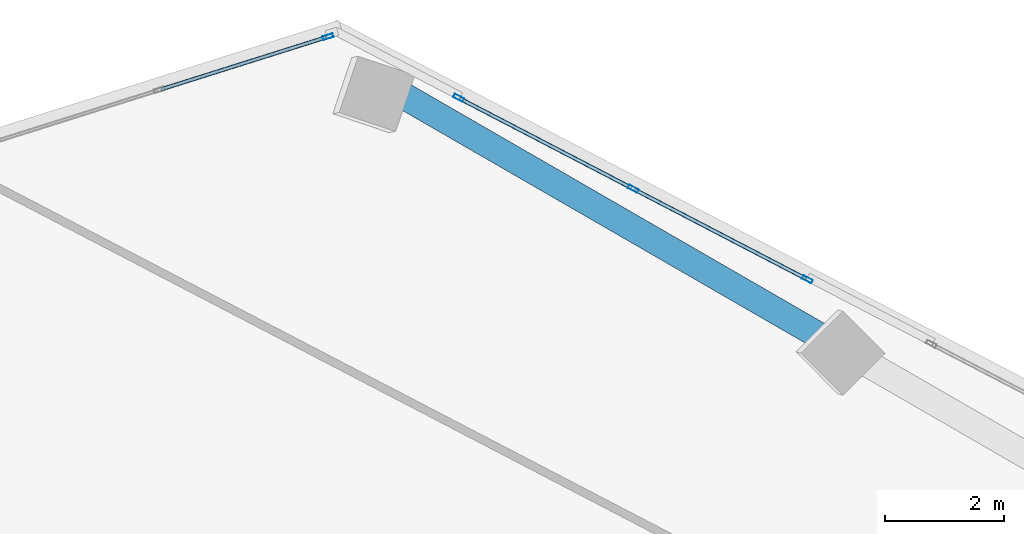
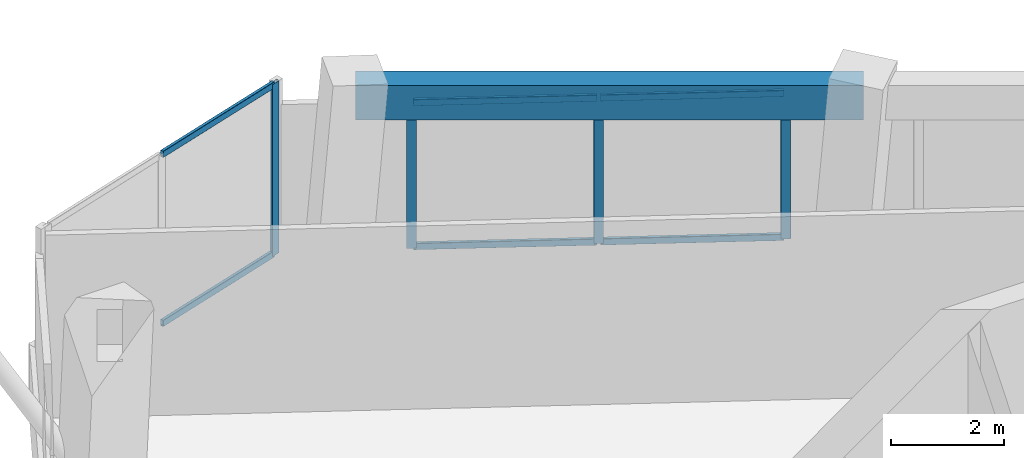
# One storey, part 13 of 22: 10 members, 1 beam, 2 elements without a shape of their own.
"""IFC4 building model written with IfcOpenShell, lengths in metres."""

from ifc_helpers import new_model, si_unit, direction, frame, origin, origin_2d, place, context, subcontext, project, spatial, rectangle, hollow_rectangle, extrude, source, transform, mapped, material, material_profile, profile_set, type_object, element, aggregate, save


model = new_model("IFC4")

# Units and contexts
model_context = context("Model", 3, precision=1e-05, world=origin(), true_north=direction((0.0, 1.0)))
body_context = subcontext(model_context, "Body", "Model", "MODEL_VIEW")
ifc_project = project(units=[si_unit("LENGTHUNIT", "METRE"), si_unit("AREAUNIT", "SQUARE_METRE"), si_unit("VOLUMEUNIT", "CUBIC_METRE"), si_unit("PLANEANGLEUNIT", "RADIAN"), si_unit("MASSUNIT", "GRAM", prefix="KILO")], contexts=[model_context])

# Site, building, storey
site_placement = place(None, origin())
site = spatial("IfcSite", under=ifc_project, at=site_placement, CompositionType="ELEMENT")
building_placement = place(site_placement, origin())
building = spatial("IfcBuilding", under=site, at=building_placement, Name="Torre Montelarca", CompositionType="ELEMENT")
storey_placement = place(building_placement, frame((0.0, 0.0, 175.0)))
storey = spatial("IfcBuildingStorey", under=building, at=storey_placement, Name="L39", CompositionType="ELEMENT", Elevation=175.0)

# Beam
ifc_material_1 = material(Name="Concrete C55/67", Category="concrete")
ifc_material_profile_1 = material_profile(ifc_material_1, rectangle(XDim=0.449951171875, YDim=0.75, at=origin_2d()), Name="RCB450X750", Category="concrete")
ifc_profile_set_1 = profile_set([ifc_material_profile_1], Name="Concrete C55/67")
beam_type = type_object("IfcBeamType", Name="BM-SP-RC750-EXT", PredefinedType="SPANDREL", material=ifc_profile_set_1)
shared_shape_1 = source(origin(), body_context, "Body", "SweptSolid", [
    extrude(rectangle(XDim=0.449951171875, YDim=0.75, at=origin_2d()), origin(), (0.0, 0.0, 1.0), 9.0),
])
beam_placement = place(storey_placement, frame((18.249755859375, 51.370361328125, 3.5849609375), z_axis=(0.866024315419, -0.5000018851, 0.0), x_axis=(0.5000018851, 0.866024315419, 0.0)))
element("IfcBeam", 1, at=beam_placement, inside=storey, type_object=beam_type, Name="L39 Grid Girder X 9.0-18.0 at Y=47.1", PredefinedType="SPANDREL", context=body_context, shape_type="MappedRepresentation", body=[
    mapped(shared_shape_1, transform((0.0, 0.0, 0.0), scale=1.0)),
])

# Curtain wall, members
ifc_material_2 = material(Name="Insulated low-E laminated glass", Category="glass")
curtain_wall_type = type_object("IfcCurtainWallType", Name="CW-SYS-Z2", PredefinedType="USERDEFINED", material=ifc_material_2)
curtain_wall_1_placement = place(storey_placement, origin())
curtain_wall_1 = element("IfcCurtainWall", 2, at=curtain_wall_1_placement, inside=storey, type_object=curtain_wall_type, Name="L39 Curtain Wall Run CW-T3-L39-E09-B1", ObjectType="UNITISED GLAZING", PredefinedType="USERDEFINED")
ifc_material_3 = material(Name="Anodised aluminium AA 6063-T6", Category="aluminium")
ifc_material_profile_2 = material_profile(ifc_material_3, hollow_rectangle(XDim=0.06494140625, YDim=0.139892578125, WallThickness=0.00390625, InnerFilletRadius=0.00390625, OuterFilletRadius=0.008056640625, at=origin_2d()), Name="ALU65X140X4", Category="aluminium")
ifc_profile_set_2 = profile_set([ifc_material_profile_2], Name="Anodised aluminium AA 6063-T6")
member_type_1 = type_object("IfcMemberType", Name="CWT-ALU140", PredefinedType="USERDEFINED", material=ifc_profile_set_2)
shared_shape_2 = source(origin(), body_context, "Body", "SweptSolid", [
    extrude(hollow_rectangle(XDim=0.06494140625, YDim=0.139892578125, WallThickness=0.00390625, InnerFilletRadius=0.00390625, OuterFilletRadius=0.008056640625, at=origin_2d()), origin(), (0.0, 0.0, 1.0), 2.918701171875),
])
member_1_placement = place(storey_placement, frame((17.0908203125, 52.271240234375, 0.032470703125), z_axis=(-0.953717833294, -0.300703000412, 0.0), x_axis=(0.300703000412, -0.953717833294, 0.0)))
member_1 = element("IfcMember", 3, at=member_1_placement, type_object=member_type_1, Name="CW transom 1.1", ObjectType="TRANSOM", PredefinedType="USERDEFINED", context=body_context, shape_type="MappedRepresentation", body=[
    mapped(shared_shape_2, transform((0.0, 0.0, 0.0), scale=1.0)),
])
member_2_placement = place(storey_placement, frame((17.0908203125, 52.271240234375, 3.6875), z_axis=(-0.953717833294, -0.300703000412, 0.0), x_axis=(0.300703000412, -0.953717833294, 0.0)))
member_2 = element("IfcMember", 4, at=member_2_placement, type_object=member_type_1, Name="CW transom 1.2", ObjectType="TRANSOM", PredefinedType="USERDEFINED", context=body_context, shape_type="MappedRepresentation", body=[
    mapped(shared_shape_2, transform((0.0, 0.0, 0.0), scale=1.0)),
])
ifc_material_profile_3 = material_profile(ifc_material_3, hollow_rectangle(XDim=0.06494140625, YDim=0.179931640625, WallThickness=0.00390625, InnerFilletRadius=0.00390625, OuterFilletRadius=0.008056640625, at=origin_2d()), Name="ALU65X180X4", Category="aluminium")
ifc_profile_set_3 = profile_set([ifc_material_profile_3], Name="Anodised aluminium AA 6063-T6")
member_type_2 = type_object("IfcMemberType", Name="CWM-ALU180", PredefinedType="MULLION", material=ifc_profile_set_3)
shared_shape_3 = source(origin(), body_context, "Body", "SweptSolid", [
    extrude(hollow_rectangle(XDim=0.06494140625, YDim=0.179931640625, WallThickness=0.00390625, InnerFilletRadius=0.00390625, OuterFilletRadius=0.008056640625, at=origin_2d()), origin(), (0.0, 0.0, 1.0), 3.719970703125),
])
member_3_placement = place(storey_placement, frame((17.121826171875, 52.281005859375, 0.0), z_axis=(0.0, 0.0, 1.0), x_axis=(0.30069894448, -0.953719112102, 0.0)))
member_3 = element("IfcMember", 5, at=member_3_placement, type_object=member_type_2, Name="CW mullion 1", PredefinedType="MULLION", context=body_context, shape_type="MappedRepresentation", body=[
    mapped(shared_shape_3, transform((0.0, 0.0, 0.0), scale=1.0)),
])
aggregate(curtain_wall_1, [member_3, member_1, member_2])

curtain_wall_2_placement = place(storey_placement, origin())
curtain_wall_2 = element("IfcCurtainWall", 6, at=curtain_wall_2_placement, inside=storey, type_object=curtain_wall_type, Name="L39 Curtain Wall Run CW-T3-L39-E08-B2", ObjectType="UNITISED GLAZING", PredefinedType="USERDEFINED")
shared_shape_4 = source(origin(), body_context, "Body", "SweptSolid", [
    extrude(hollow_rectangle(XDim=0.06494140625, YDim=0.179931640625, WallThickness=0.00390625, InnerFilletRadius=0.00390625, OuterFilletRadius=0.008056640625, at=origin_2d()), origin(), (0.0, 0.0, 1.0), 3.175048828125),
])
member_4_placement = place(storey_placement, frame((25.211669921875, 48.18505859375, 0.0), z_axis=(0.0, 0.0, 1.0), x_axis=(-0.461742359337, -0.887014088724, 0.0)))
member_4 = element("IfcMember", 7, at=member_4_placement, type_object=member_type_2, Name="CW mullion 1", PredefinedType="MULLION", context=body_context, shape_type="MappedRepresentation", body=[
    mapped(shared_shape_4, transform((0.0, 0.0, 0.0), scale=1.0)),
])
member_5_placement = place(storey_placement, frame((22.26953125, 49.716552734375, 0.0), z_axis=(0.0, 0.0, 1.0), x_axis=(-0.461742359337, -0.887014088724, 0.0)))
member_5 = element("IfcMember", 8, at=member_5_placement, type_object=member_type_2, Name="CW mullion 2", PredefinedType="MULLION", context=body_context, shape_type="MappedRepresentation", body=[
    mapped(shared_shape_4, transform((0.0, 0.0, 0.0), scale=1.0)),
])
member_6_placement = place(storey_placement, frame((19.32763671875, 51.248046875, 0.0), z_axis=(0.0, 0.0, 1.0), x_axis=(-0.461742359337, -0.887014088724, 0.0)))
member_6 = element("IfcMember", 9, at=member_6_placement, type_object=member_type_2, Name="CW mullion 3", PredefinedType="MULLION", context=body_context, shape_type="MappedRepresentation", body=[
    mapped(shared_shape_4, transform((0.0, 0.0, 0.0), scale=1.0)),
])
shared_shape_5 = source(origin(), body_context, "Body", "SweptSolid", [
    extrude(hollow_rectangle(XDim=0.06494140625, YDim=0.139892578125, WallThickness=0.00390625, InnerFilletRadius=0.00390625, OuterFilletRadius=0.008056640625, at=origin_2d()), origin(), (0.0, 0.0, 1.0), 3.251953125),
])
member_7_placement = place(storey_placement, frame((25.182861328125, 48.199951171875, 0.032470703125), z_axis=(-0.887026198253, 0.461719096001, 0.0), x_axis=(-0.461719096001, -0.887026198253, 0.0)))
member_7 = element("IfcMember", 10, at=member_7_placement, type_object=member_type_1, Name="CW transom 1.1", ObjectType="TRANSOM", PredefinedType="USERDEFINED", context=body_context, shape_type="MappedRepresentation", body=[
    mapped(shared_shape_5, transform((0.0, 0.0, 0.0), scale=1.0)),
])
member_8_placement = place(storey_placement, frame((25.182861328125, 48.199951171875, 3.142578125), z_axis=(-0.887026198253, 0.461719096001, 0.0), x_axis=(-0.461719096001, -0.887026198253, 0.0)))
member_8 = element("IfcMember", 11, at=member_8_placement, type_object=member_type_1, Name="CW transom 1.2", ObjectType="TRANSOM", PredefinedType="USERDEFINED", context=body_context, shape_type="MappedRepresentation", body=[
    mapped(shared_shape_5, transform((0.0, 0.0, 0.0), scale=1.0)),
])
shared_shape_6 = source(origin(), body_context, "Body", "SweptSolid", [
    extrude(hollow_rectangle(XDim=0.06494140625, YDim=0.139892578125, WallThickness=0.00390625, InnerFilletRadius=0.00390625, OuterFilletRadius=0.008056640625, at=origin_2d()), origin(), (0.0, 0.0, 1.0), 3.251708984375),
])
member_9_placement = place(storey_placement, frame((22.24072265625, 49.7314453125, 0.032470703125), z_axis=(-0.887010191554, 0.461749845781, 0.0), x_axis=(-0.461749845781, -0.887010191554, 0.0)))
member_9 = element("IfcMember", 12, at=member_9_placement, type_object=member_type_1, Name="CW transom 2.1", ObjectType="TRANSOM", PredefinedType="USERDEFINED", context=body_context, shape_type="MappedRepresentation", body=[
    mapped(shared_shape_6, transform((0.0, 0.0, 0.0), scale=1.0)),
])
member_10_placement = place(storey_placement, frame((22.24072265625, 49.7314453125, 3.142578125), z_axis=(-0.887010191554, 0.461749845781, 0.0), x_axis=(-0.461749845781, -0.887010191554, 0.0)))
member_10 = element("IfcMember", 13, at=member_10_placement, type_object=member_type_1, Name="CW transom 2.2", ObjectType="TRANSOM", PredefinedType="USERDEFINED", context=body_context, shape_type="MappedRepresentation", body=[
    mapped(shared_shape_6, transform((0.0, 0.0, 0.0), scale=1.0)),
])
aggregate(curtain_wall_2, [member_4, member_5, member_6, member_7, member_8, member_9, member_10])

save(model, "model.ifc")
